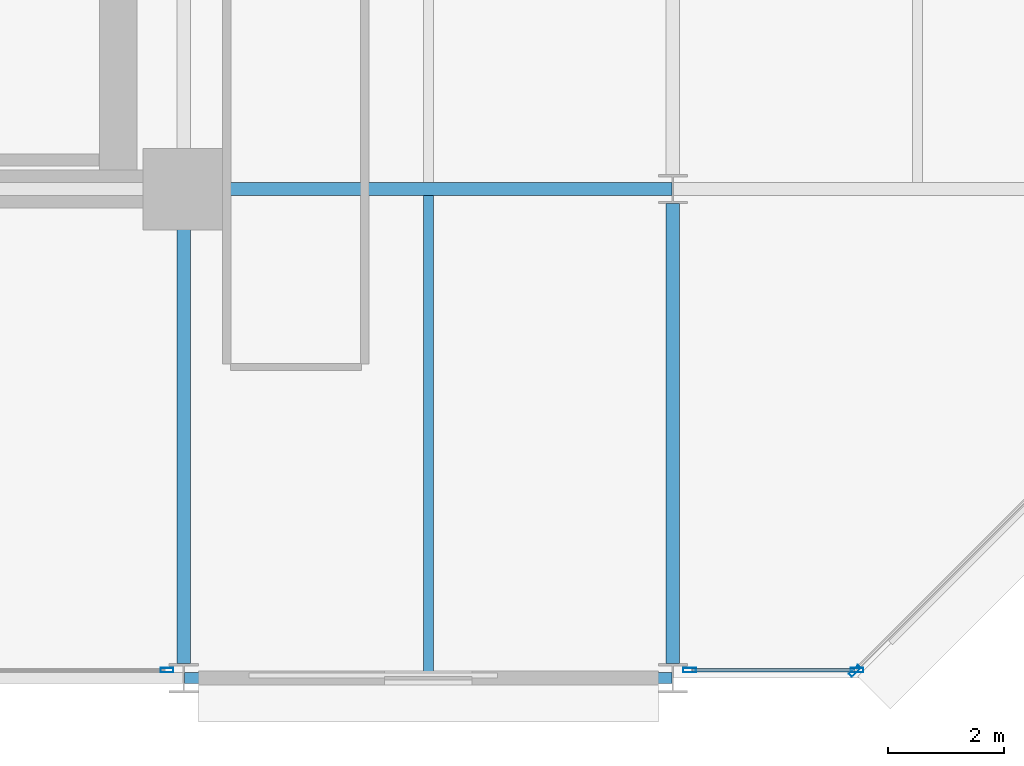
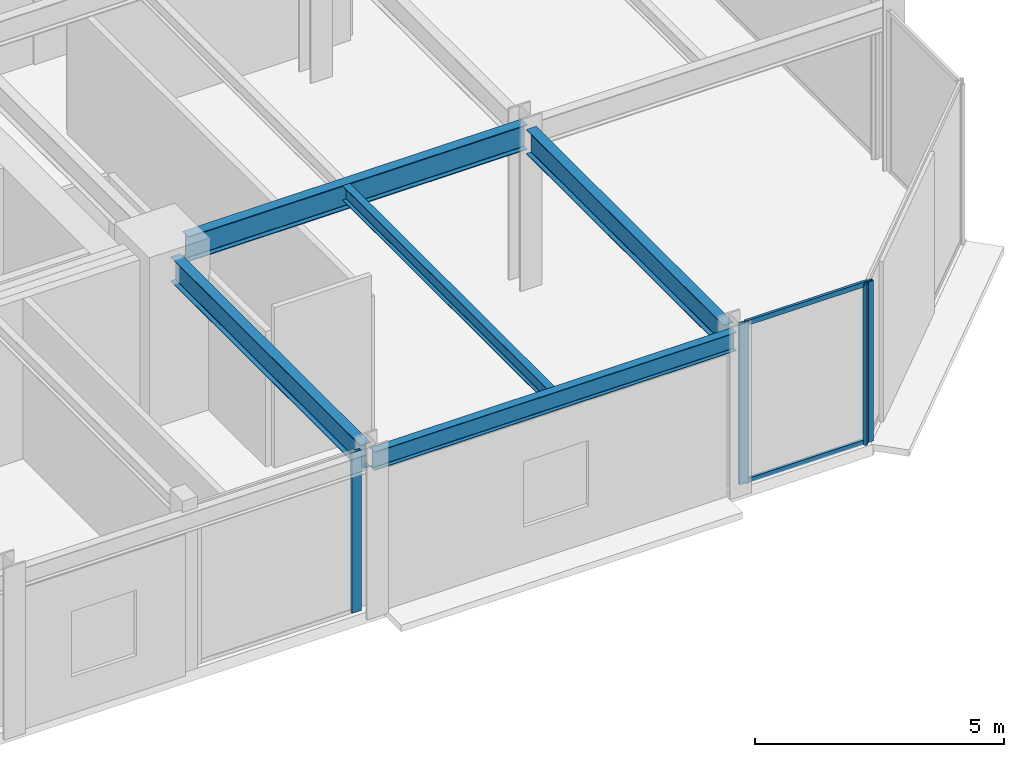
# One storey, part 9 of 25: 6 members, 5 beams, 3 elements without a shape of their own.
"""IFC4 building model written with IfcOpenShell, lengths in metres."""

from ifc_helpers import new_model, si_unit, direction, frame, origin, origin_2d, place, context, subcontext, project, spatial, hollow_rectangle, i_section, extrude, material, layer, layer_set, material_profile, profile_set, type_object, element, aggregate, save


model = new_model("IFC4")

# Units and contexts
model_context = context("Model", 3, precision=1e-05, world=origin(), true_north=direction((0.0, 1.0)))
body_context = subcontext(model_context, "Body", "Model", "MODEL_VIEW")
ifc_project = project(units=[si_unit("LENGTHUNIT", "METRE"), si_unit("AREAUNIT", "SQUARE_METRE"), si_unit("VOLUMEUNIT", "CUBIC_METRE"), si_unit("PLANEANGLEUNIT", "RADIAN"), si_unit("MASSUNIT", "GRAM", prefix="KILO")], contexts=[model_context])

# Site, building, storey
site_placement = place(None, origin())
site = spatial("IfcSite", under=ifc_project, at=site_placement, CompositionType="ELEMENT")
building_placement = place(site_placement, origin())
building = spatial("IfcBuilding", under=site, at=building_placement, Name="Nerrivon Quay Data Exchange", CompositionType="ELEMENT")
storey_placement = place(building_placement, frame((0.0, 0.0, 41.60009765625)))
storey = spatial("IfcBuildingStorey", under=building, at=storey_placement, Name="L09", CompositionType="ELEMENT", Elevation=41.60009765625)

# Beams
ifc_material_1 = material(Name="Steel Grade 350", Category="steel")
ifc_material_profile_1 = material_profile(ifc_material_1, i_section(OverallWidth=0.22900390625, OverallDepth=0.612060546875, WebThickness=0.011962890625, FlangeThickness=0.01953125, FilletRadius=0.013916015625, at=origin_2d()), Name="610UB125")
ifc_profile_set_1 = profile_set([ifc_material_profile_1], Name="Steel Grade 350")
beam_type_1 = type_object("IfcBeamType", Name="BM-G1-610UB125", PredefinedType="BEAM", material=ifc_profile_set_1)
beam_1_placement = place(storey_placement, frame((34.139892578125, 8.39990234375, 3.618896484375), z_axis=(1.0, 0.0, 0.0), x_axis=(0.0, 1.0, 0.0)))
element("IfcBeam", 1, at=beam_1_placement, inside=storey, type_object=beam_type_1, Name="L09 EW Girder Y=8.4 (33.6..42.0)", PredefinedType="BEAM", context=body_context, shape_type="SweptSolid", body=[
    extrude(i_section(OverallWidth=0.22900390625, OverallDepth=0.612060546875, WebThickness=0.011962890625, FlangeThickness=0.01953125, FilletRadius=0.013916015625, at=origin_2d()), origin(), (0.0, 0.0, 1.0), 7.84619140625),
])
ifc_material_profile_2 = material_profile(ifc_material_1, i_section(OverallWidth=0.22802734375, OverallDepth=0.60205078125, WebThickness=0.010498046875, FlangeThickness=0.014892578125, FilletRadius=0.013916015625, at=origin_2d()), Name="610UB101")
ifc_profile_set_2 = profile_set([ifc_material_profile_2], Name="Steel Grade 350")
beam_type_2 = type_object("IfcBeamType", Name="BM-G2-610UB101", PredefinedType="BEAM", material=ifc_profile_set_2)
beam_2_placement = place(storey_placement, frame((33.60009765625, 0.25, 3.6240234375), z_axis=(0.0, 1.0, 0.0), x_axis=(-1.0, 0.0, 0.0)))
element("IfcBeam", 2, at=beam_2_placement, inside=storey, type_object=beam_type_2, Name="L09 NS Girder X=33.6 (0.0..8.4)", PredefinedType="BEAM", context=body_context, shape_type="SweptSolid", body=[
    extrude(i_section(OverallWidth=0.22802734375, OverallDepth=0.60205078125, WebThickness=0.010498046875, FlangeThickness=0.014892578125, FilletRadius=0.013916015625, at=origin_2d()), origin(), (0.0, 0.0, 1.0), 7.610107421875),
])
beam_3_placement = place(storey_placement, frame((42.0, 0.25, 3.6240234375), z_axis=(0.0, 1.0, 0.0), x_axis=(-1.0, 0.0, 0.0)))
element("IfcBeam", 3, at=beam_3_placement, inside=storey, type_object=beam_type_2, Name="L09 NS Girder X=42.0 (0.0..8.4)", PredefinedType="BEAM", context=body_context, shape_type="SweptSolid", body=[
    extrude(i_section(OverallWidth=0.22802734375, OverallDepth=0.60205078125, WebThickness=0.010498046875, FlangeThickness=0.014892578125, FilletRadius=0.013916015625, at=origin_2d()), origin(), (0.0, 0.0, 1.0), 7.89990234375),
])
ifc_material_profile_3 = material_profile(ifc_material_1, i_section(OverallWidth=0.172119140625, OverallDepth=0.35888671875, WebThickness=0.008056640625, FlangeThickness=0.012939453125, FilletRadius=0.011474609375, at=origin_2d()), Name="360UB56.7")
ifc_profile_set_3 = profile_set([ifc_material_profile_3], Name="Steel Grade 350")
beam_type_3 = type_object("IfcBeamType", Name="BM-J3-360UB57", PredefinedType="JOIST", material=ifc_profile_set_3)
beam_4_placement = place(storey_placement, frame((37.800048828125, 0.094970703125, 3.745361328125), z_axis=(0.0, 1.0, 0.0), x_axis=(-1.0, 0.0, 0.0)))
element("IfcBeam", 4, at=beam_4_placement, inside=storey, type_object=beam_type_3, Name="L09 Secondary Joist X=37.8 (0.0..8.4)", PredefinedType="JOIST", context=body_context, shape_type="SweptSolid", body=[
    extrude(i_section(OverallWidth=0.172119140625, OverallDepth=0.35888671875, WebThickness=0.008056640625, FlangeThickness=0.012939453125, FilletRadius=0.011474609375, at=origin_2d()), origin(), (0.0, 0.0, 1.0), 8.1904296875),
])
ifc_material_profile_4 = material_profile(ifc_material_1, i_section(OverallWidth=0.18994140625, OverallDepth=0.4541015625, WebThickness=0.008544921875, FlangeThickness=0.0126953125, FilletRadius=0.011474609375, at=origin_2d()), Name="460UB67.1")
ifc_profile_set_4 = profile_set([ifc_material_profile_4], Name="Steel Grade 350")
beam_type_4 = type_object("IfcBeamType", Name="BM-SP1-460UB67", PredefinedType="SPANDREL", material=ifc_profile_set_4)
beam_5_placement = place(storey_placement, frame((33.614013671875, 0.0, 3.697998046875), z_axis=(1.0, 0.0, 0.0), x_axis=(0.0, 1.0, 0.0)))
element("IfcBeam", 5, at=beam_5_placement, inside=storey, type_object=beam_type_4, Name="L09 EW Girder Y=0.0 (33.6..42.0)", PredefinedType="SPANDREL", context=body_context, shape_type="SweptSolid", body=[
    extrude(i_section(OverallWidth=0.18994140625, OverallDepth=0.4541015625, WebThickness=0.008544921875, FlangeThickness=0.0126953125, FilletRadius=0.011474609375, at=origin_2d()), origin(), (0.0, 0.0, 1.0), 8.3720703125),
])

# Curtain wall, member
ifc_material_2 = material(Name="Anodised aluminium 6063-T6", Category="aluminium")
ifc_layer = layer(ifc_material_2, 0.219970703125)
ifc_layer_set = layer_set([ifc_layer], Name="Anodised aluminium 6063-T6")
curtain_wall_type = type_object("IfcCurtainWallType", Name="CW-SYS-01", PredefinedType="NOTDEFINED", material=ifc_layer_set)
curtain_wall_1_placement = place(storey_placement, origin())
curtain_wall_1 = element("IfcCurtainWall", 6, at=curtain_wall_1_placement, inside=storey, type_object=curtain_wall_type, Name="L09 Unitised Curtain Wall 1", PredefinedType="NOTDEFINED")
ifc_material_profile_5 = material_profile(ifc_material_2, hollow_rectangle(XDim=0.074951171875, YDim=0.219970703125, WallThickness=0.00390625, at=origin_2d()), Name="ALU-MULL-220x75")
ifc_profile_set_5 = profile_set([ifc_material_profile_5], Name="Anodised aluminium 6063-T6")
member_type_1 = type_object("IfcMemberType", Name="CWM-220x75", PredefinedType="MULLION", material=ifc_profile_set_5)
member_1_placement = place(storey_placement, frame((45.12744140625, 0.12548828125, 0.0), z_axis=(0.0, 0.0, 1.0), x_axis=(0.707106781187, -0.707106781187, 0.0)))
member_1 = element("IfcMember", 7, at=member_1_placement, type_object=member_type_1, Name="CW01 mullion 2", PredefinedType="MULLION", context=body_context, shape_type="SweptSolid", body=[
    extrude(hollow_rectangle(XDim=0.074951171875, YDim=0.219970703125, WallThickness=0.00390625, at=origin_2d()), origin(), (0.0, 0.0, 1.0), 3.9248046875),
])
aggregate(curtain_wall_1, [member_1])

# Curtain wall, members
curtain_wall_2_placement = place(storey_placement, origin())
curtain_wall_2 = element("IfcCurtainWall", 8, at=curtain_wall_2_placement, inside=storey, type_object=curtain_wall_type, Name="L09 Unitised Curtain Wall 2", PredefinedType="NOTDEFINED")
member_2_placement = place(storey_placement, frame((45.16259765625, 0.139892578125, 0.0), z_axis=(0.0, 0.0, 1.0), x_axis=(0.0, -1.0, 0.0)))
member_2 = element("IfcMember", 9, at=member_2_placement, type_object=member_type_1, Name="CW01 mullion 1", PredefinedType="MULLION", context=body_context, shape_type="SweptSolid", body=[
    extrude(hollow_rectangle(XDim=0.074951171875, YDim=0.219970703125, WallThickness=0.00390625, at=origin_2d()), origin(), (0.0, 0.0, 1.0), 3.9248046875),
])
member_3_placement = place(storey_placement, frame((42.28759765625, 0.139892578125, 0.0), z_axis=(0.0, 0.0, 1.0), x_axis=(0.0, -1.0, 0.0)))
member_3 = element("IfcMember", 10, at=member_3_placement, type_object=member_type_1, Name="CW01 mullion 2", PredefinedType="MULLION", context=body_context, shape_type="SweptSolid", body=[
    extrude(hollow_rectangle(XDim=0.074951171875, YDim=0.219970703125, WallThickness=0.00390625, at=origin_2d()), origin(), (0.0, 0.0, 1.0), 3.9248046875),
])

# Curtain wall, member
curtain_wall_3_placement = place(storey_placement, origin())
curtain_wall_3 = element("IfcCurtainWall", 11, at=curtain_wall_3_placement, inside=storey, type_object=curtain_wall_type, Name="L09 Unitised Curtain Wall 4", PredefinedType="NOTDEFINED")
member_4_placement = place(storey_placement, frame((33.3125, 0.139892578125, 0.0), z_axis=(0.0, 0.0, 1.0), x_axis=(0.0, -1.0, 0.0)))
member_4 = element("IfcMember", 12, at=member_4_placement, type_object=member_type_1, Name="CW01 mullion 1", PredefinedType="MULLION", context=body_context, shape_type="SweptSolid", body=[
    extrude(hollow_rectangle(XDim=0.074951171875, YDim=0.219970703125, WallThickness=0.00390625, at=origin_2d()), origin(), (0.0, 0.0, 1.0), 3.9248046875),
])
aggregate(curtain_wall_3, [member_4])

# Member
ifc_material_profile_6 = material_profile(ifc_material_2, hollow_rectangle(XDim=0.06005859375, YDim=0.1201171875, WallThickness=0.003173828125, at=origin_2d()), Name="ALU-TRAN-120x60")
ifc_profile_set_6 = profile_set([ifc_material_profile_6], Name="Anodised aluminium 6063-T6")
member_type_2 = type_object("IfcMemberType", Name="CWT-120x60", PredefinedType="USERDEFINED", material=ifc_profile_set_6)
member_5_placement = place(storey_placement, frame((45.125, 0.139892578125, 0.032470703125), z_axis=(-1.0, 0.0, 0.0), x_axis=(0.0, -1.0, 0.0)))
member_5 = element("IfcMember", 13, at=member_5_placement, type_object=member_type_2, Name="CW01 transom 1.1", ObjectType="TRANSOM", PredefinedType="USERDEFINED", context=body_context, shape_type="SweptSolid", body=[
    extrude(hollow_rectangle(XDim=0.06005859375, YDim=0.1201171875, WallThickness=0.003173828125, at=origin_2d()), origin(), (0.0, 0.0, 1.0), 2.800048828125),
])

member_6_placement = place(storey_placement, frame((45.125, 0.139892578125, 3.892333984375), z_axis=(-1.0, 0.0, 0.0), x_axis=(0.0, -1.0, 0.0)))
member_6 = element("IfcMember", 14, at=member_6_placement, type_object=member_type_2, Name="CW01 transom 1.2", ObjectType="TRANSOM", PredefinedType="USERDEFINED", context=body_context, shape_type="SweptSolid", body=[
    extrude(hollow_rectangle(XDim=0.06005859375, YDim=0.1201171875, WallThickness=0.003173828125, at=origin_2d()), origin(), (0.0, 0.0, 1.0), 2.800048828125),
])

aggregate(curtain_wall_2, [member_2, member_3, member_5, member_6])

save(model, "model.ifc")
